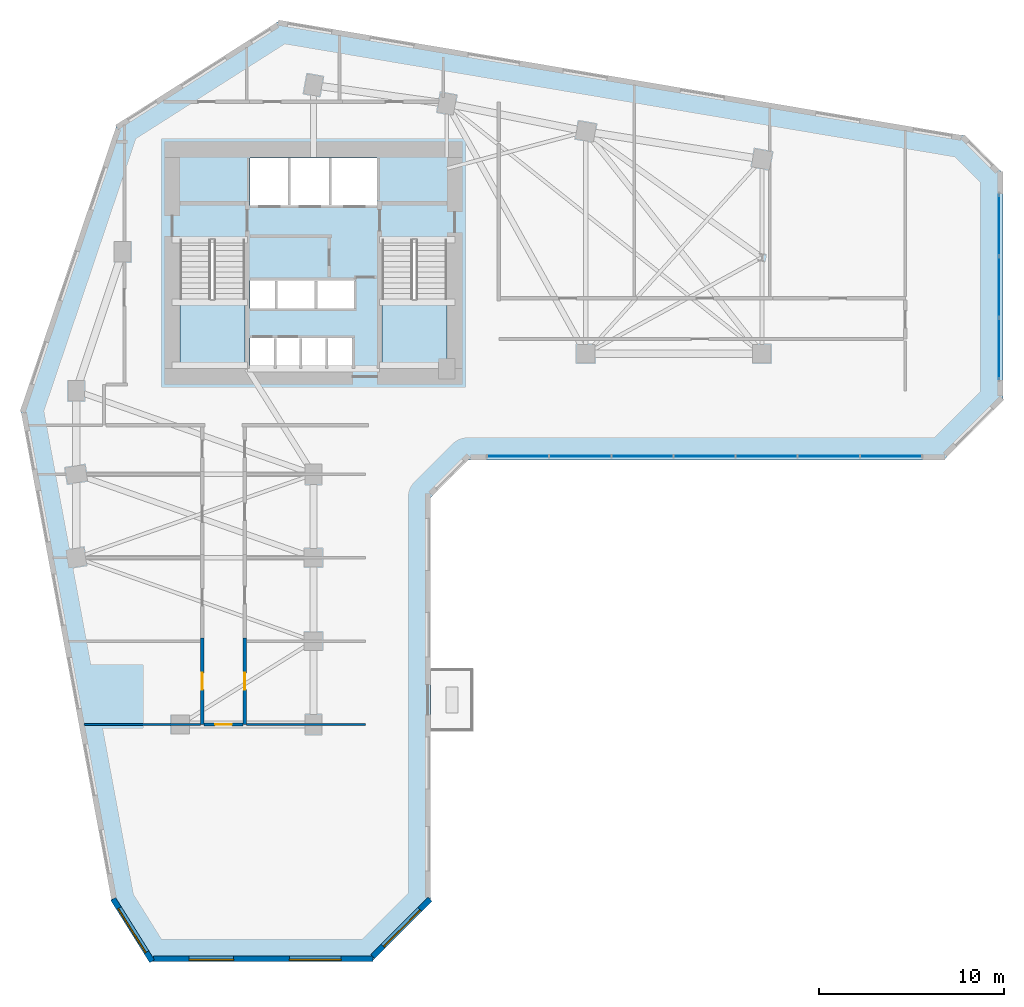
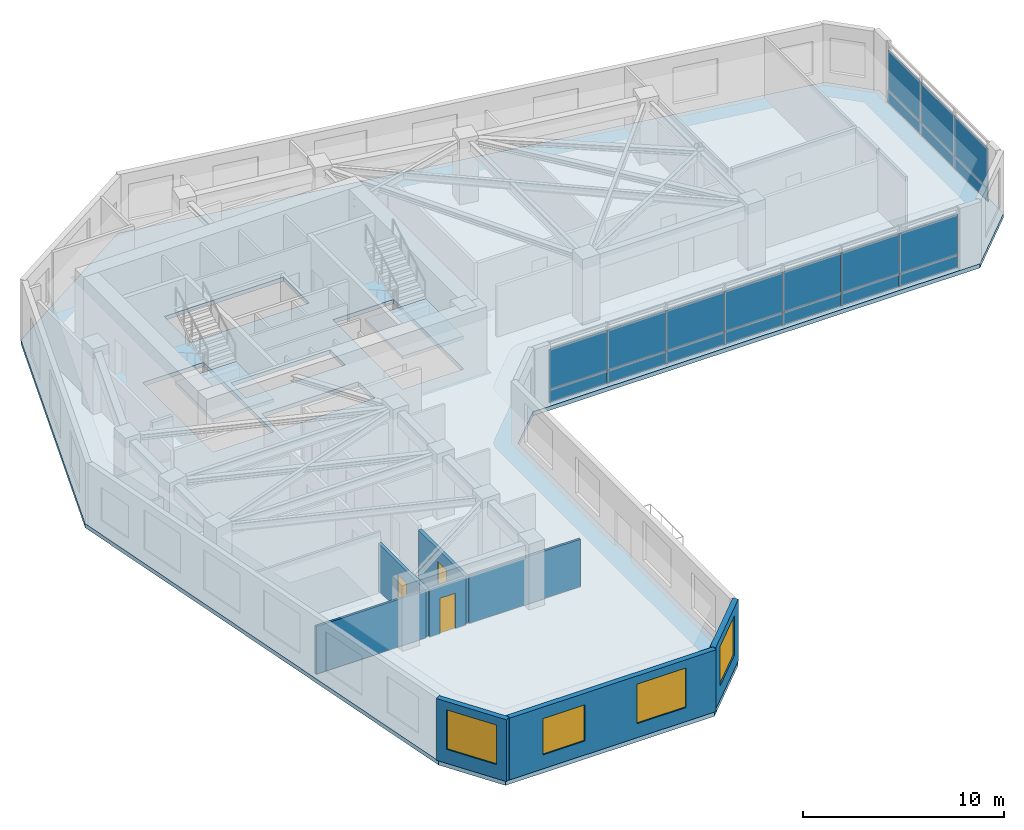
# One storey, part 5 of 11: 20 plates, 8 walls, 4 windows, 3 doors, 3 slabs, 7 openings, 4 elements without a shape of their own.
"""IFC4 building model written with IfcOpenShell, lengths in metres."""

from ifc_helpers import new_model, si_unit, direction, frame, frame_2d, origin, place, context, subcontext, project, spatial, polyline, rectangle, outline, extrude, source, transform, mapped, material, layer, layer_set, type_object, element, fill, aggregate, save


model = new_model("IFC4")

# Units and contexts
model_context = context("Model", 3, precision=1e-05, world=origin(), true_north=direction((0.0, 1.0)))
body_context = subcontext(model_context, "Body", "Model", "MODEL_VIEW")
ifc_project = project(units=[si_unit("LENGTHUNIT", "METRE"), si_unit("AREAUNIT", "SQUARE_METRE"), si_unit("VOLUMEUNIT", "CUBIC_METRE"), si_unit("PLANEANGLEUNIT", "RADIAN"), si_unit("MASSUNIT", "GRAM", prefix="KILO")], contexts=[model_context])

# Site, building, storey
site_placement = place(None, origin())
site = spatial("IfcSite", under=ifc_project, at=site_placement, CompositionType="ELEMENT")
building_placement = place(site_placement, origin())
building = spatial("IfcBuilding", under=site, at=building_placement, Name="Calvemar Wedge Station Tower", CompositionType="ELEMENT")
storey_placement = place(building_placement, frame((0.0, 0.0, 55.0)))
storey = spatial("IfcBuildingStorey", under=building, at=storey_placement, Name="L13", CompositionType="ELEMENT", Elevation=55.0)

# Curtain wall, plates
ifc_material_1 = material(Name="Anodised aluminium 6063-T6", Category="aluminium")
curtain_wall_type = type_object("IfcCurtainWallType", Name="CW1", PredefinedType="NOTDEFINED", material=ifc_material_1)
curtain_wall_1_placement = place(storey_placement, origin())
curtain_wall_1 = element("IfcCurtainWall", 1, at=curtain_wall_1_placement, inside=storey, type_object=curtain_wall_type, Name="Storey L13 CW1 Recessed Unitised Curtain Wall 6", PredefinedType="NOTDEFINED")
ifc_material_2 = material(Name="Low-E laminated insulated glass", Category="glass")
ifc_layer_1 = layer(ifc_material_2, 0.028076171875)
ifc_layer_set_1 = layer_set([ifc_layer_1], Name="Low-E laminated insulated glass")
plate_type_1 = type_object("IfcPlateType", Name="CW1-GLZ", PredefinedType="CURTAIN_PANEL", material=ifc_layer_set_1)
plate_1_placement = place(storey_placement, frame((33.183837890625, 29.469970703125, 0.8701171875), z_axis=(0.0, 0.0, 1.0), x_axis=(1.0, 0.0, 0.0)))
plate_1 = element("IfcPlate", 2, at=plate_1_placement, type_object=plate_type_1, Name="CW1 vision glass panel 1", PredefinedType="CURTAIN_PANEL", context=body_context, shape_type="SweptSolid", body=[
    extrude(rectangle(XDim=3.317138671875, YDim=0.028076171875, at=frame_2d((1.65869140625, 0.0))), origin(), (0.0, 0.0, 1.0), 2.409912109375),
])
plate_2_placement = place(storey_placement, frame((36.537109375, 29.469970703125, 0.8701171875), z_axis=(0.0, 0.0, 1.0), x_axis=(1.0, 0.0, 0.0)))
plate_2 = element("IfcPlate", 3, at=plate_2_placement, type_object=plate_type_1, Name="CW1 vision glass panel 2", PredefinedType="CURTAIN_PANEL", context=body_context, shape_type="SweptSolid", body=[
    extrude(rectangle(XDim=3.317138671875, YDim=0.028076171875, at=frame_2d((1.65869140625, 0.0))), origin(), (0.0, 0.0, 1.0), 2.409912109375),
])
plate_3_placement = place(storey_placement, frame((39.89013671875, 29.469970703125, 0.8701171875), z_axis=(0.0, 0.0, 1.0), x_axis=(1.0, 0.0, 0.0)))
plate_3 = element("IfcPlate", 4, at=plate_3_placement, type_object=plate_type_1, Name="CW1 vision glass panel 3", PredefinedType="CURTAIN_PANEL", context=body_context, shape_type="SweptSolid", body=[
    extrude(rectangle(XDim=3.317138671875, YDim=0.028076171875, at=frame_2d((1.65869140625, 0.0))), origin(), (0.0, 0.0, 1.0), 2.409912109375),
])
plate_4_placement = place(storey_placement, frame((43.243408203125, 29.469970703125, 0.8701171875), z_axis=(0.0, 0.0, 1.0), x_axis=(1.0, 0.0, 0.0)))
plate_4 = element("IfcPlate", 5, at=plate_4_placement, type_object=plate_type_1, Name="CW1 vision glass panel 4", PredefinedType="CURTAIN_PANEL", context=body_context, shape_type="SweptSolid", body=[
    extrude(rectangle(XDim=3.317138671875, YDim=0.028076171875, at=frame_2d((1.65869140625, 0.0))), origin(), (0.0, 0.0, 1.0), 2.409912109375),
])
plate_5_placement = place(storey_placement, frame((46.596435546875, 29.469970703125, 0.8701171875), z_axis=(0.0, 0.0, 1.0), x_axis=(1.0, 0.0, 0.0)))
plate_5 = element("IfcPlate", 6, at=plate_5_placement, type_object=plate_type_1, Name="CW1 vision glass panel 5", PredefinedType="CURTAIN_PANEL", context=body_context, shape_type="SweptSolid", body=[
    extrude(rectangle(XDim=3.317138671875, YDim=0.028076171875, at=frame_2d((1.65869140625, 0.0))), origin(), (0.0, 0.0, 1.0), 2.409912109375),
])
plate_6_placement = place(storey_placement, frame((49.94970703125, 29.469970703125, 0.8701171875), z_axis=(0.0, 0.0, 1.0), x_axis=(1.0, 0.0, 0.0)))
plate_6 = element("IfcPlate", 7, at=plate_6_placement, type_object=plate_type_1, Name="CW1 vision glass panel 6", PredefinedType="CURTAIN_PANEL", context=body_context, shape_type="SweptSolid", body=[
    extrude(rectangle(XDim=3.317138671875, YDim=0.028076171875, at=frame_2d((1.65869140625, 0.0))), origin(), (0.0, 0.0, 1.0), 2.409912109375),
])
plate_7_placement = place(storey_placement, frame((53.302734375, 29.469970703125, 0.8701171875), z_axis=(0.0, 0.0, 1.0), x_axis=(1.0, 0.0, 0.0)))
plate_7 = element("IfcPlate", 8, at=plate_7_placement, type_object=plate_type_1, Name="CW1 vision glass panel 7", PredefinedType="CURTAIN_PANEL", context=body_context, shape_type="SweptSolid", body=[
    extrude(rectangle(XDim=3.317138671875, YDim=0.028076171875, at=frame_2d((1.65869140625, 0.0))), origin(), (0.0, 0.0, 1.0), 2.409912109375),
])

curtain_wall_2_placement = place(storey_placement, origin())
curtain_wall_2 = element("IfcCurtainWall", 9, at=curtain_wall_2_placement, inside=storey, type_object=curtain_wall_type, Name="Storey L13 CW1 Recessed Unitised Curtain Wall 8", PredefinedType="NOTDEFINED")
plate_8_placement = place(storey_placement, frame((60.7900390625, 33.64013671875, 0.8701171875), z_axis=(0.0, 0.0, 1.0), x_axis=(0.0, 1.0, 0.0)))
plate_8 = element("IfcPlate", 10, at=plate_8_placement, type_object=plate_type_1, Name="CW1 vision glass panel 1", PredefinedType="CURTAIN_PANEL", context=body_context, shape_type="SweptSolid", body=[
    extrude(rectangle(XDim=3.289306640625, YDim=0.028076171875, at=frame_2d((1.64453125, 0.0))), origin(), (0.0, 0.0, 1.0), 2.409912109375),
])
plate_9_placement = place(storey_placement, frame((60.7900390625, 36.96533203125, 0.8701171875), z_axis=(0.0, 0.0, 1.0), x_axis=(0.0, 1.0, 0.0)))
plate_9 = element("IfcPlate", 11, at=plate_9_placement, type_object=plate_type_1, Name="CW1 vision glass panel 2", PredefinedType="CURTAIN_PANEL", context=body_context, shape_type="SweptSolid", body=[
    extrude(rectangle(XDim=3.289306640625, YDim=0.028076171875, at=frame_2d((1.64453125, 0.0))), origin(), (0.0, 0.0, 1.0), 2.409912109375),
])
plate_10_placement = place(storey_placement, frame((60.7900390625, 40.29052734375, 0.8701171875), z_axis=(0.0, 0.0, 1.0), x_axis=(0.0, 1.0, 0.0)))
plate_10 = element("IfcPlate", 12, at=plate_10_placement, type_object=plate_type_1, Name="CW1 vision glass panel 3", PredefinedType="CURTAIN_PANEL", context=body_context, shape_type="SweptSolid", body=[
    extrude(rectangle(XDim=3.289306640625, YDim=0.028076171875, at=frame_2d((1.64453125, 0.0))), origin(), (0.0, 0.0, 1.0), 2.409912109375),
])

# Plate
ifc_material_3 = material(Name="Oxidized bronze aluminium spandrel panel 5005-H24", Category="aluminium")
ifc_layer_2 = layer(ifc_material_3, 0.0400390625)
ifc_layer_set_2 = layer_set([ifc_layer_2], Name="Oxidized bronze aluminium spandrel panel 5005-H24")
plate_type_2 = type_object("IfcPlateType", Name="CW1-SPD", PredefinedType="SHEET", material=ifc_layer_set_2)
plate_11_placement = place(storey_placement, frame((33.183837890625, 29.469970703125, 0.080078125), z_axis=(0.0, 0.0, 1.0), x_axis=(1.0, 0.0, 0.0)))
plate_11 = element("IfcPlate", 13, at=plate_11_placement, type_object=plate_type_2, Name="CW1 bronze spandrel panel 1", PredefinedType="SHEET", context=body_context, shape_type="SweptSolid", body=[
    extrude(rectangle(XDim=3.317138671875, YDim=0.0400390625, at=frame_2d((1.65869140625, 0.0))), origin(), (0.0, 0.0, 1.0), 0.75),
])

plate_12_placement = place(storey_placement, frame((36.537109375, 29.469970703125, 0.080078125), z_axis=(0.0, 0.0, 1.0), x_axis=(1.0, 0.0, 0.0)))
plate_12 = element("IfcPlate", 14, at=plate_12_placement, type_object=plate_type_2, Name="CW1 bronze spandrel panel 2", PredefinedType="SHEET", context=body_context, shape_type="SweptSolid", body=[
    extrude(rectangle(XDim=3.317138671875, YDim=0.0400390625, at=frame_2d((1.65869140625, 0.0))), origin(), (0.0, 0.0, 1.0), 0.75),
])

plate_13_placement = place(storey_placement, frame((39.89013671875, 29.469970703125, 0.080078125), z_axis=(0.0, 0.0, 1.0), x_axis=(1.0, 0.0, 0.0)))
plate_13 = element("IfcPlate", 15, at=plate_13_placement, type_object=plate_type_2, Name="CW1 bronze spandrel panel 3", PredefinedType="SHEET", context=body_context, shape_type="SweptSolid", body=[
    extrude(rectangle(XDim=3.317138671875, YDim=0.0400390625, at=frame_2d((1.65869140625, 0.0))), origin(), (0.0, 0.0, 1.0), 0.75),
])

plate_14_placement = place(storey_placement, frame((43.243408203125, 29.469970703125, 0.080078125), z_axis=(0.0, 0.0, 1.0), x_axis=(1.0, 0.0, 0.0)))
plate_14 = element("IfcPlate", 16, at=plate_14_placement, type_object=plate_type_2, Name="CW1 bronze spandrel panel 4", PredefinedType="SHEET", context=body_context, shape_type="SweptSolid", body=[
    extrude(rectangle(XDim=3.317138671875, YDim=0.0400390625, at=frame_2d((1.65869140625, 0.0))), origin(), (0.0, 0.0, 1.0), 0.75),
])

plate_15_placement = place(storey_placement, frame((46.596435546875, 29.469970703125, 0.080078125), z_axis=(0.0, 0.0, 1.0), x_axis=(1.0, 0.0, 0.0)))
plate_15 = element("IfcPlate", 17, at=plate_15_placement, type_object=plate_type_2, Name="CW1 bronze spandrel panel 5", PredefinedType="SHEET", context=body_context, shape_type="SweptSolid", body=[
    extrude(rectangle(XDim=3.317138671875, YDim=0.0400390625, at=frame_2d((1.65869140625, 0.0))), origin(), (0.0, 0.0, 1.0), 0.75),
])

plate_16_placement = place(storey_placement, frame((49.94970703125, 29.469970703125, 0.080078125), z_axis=(0.0, 0.0, 1.0), x_axis=(1.0, 0.0, 0.0)))
plate_16 = element("IfcPlate", 18, at=plate_16_placement, type_object=plate_type_2, Name="CW1 bronze spandrel panel 6", PredefinedType="SHEET", context=body_context, shape_type="SweptSolid", body=[
    extrude(rectangle(XDim=3.317138671875, YDim=0.0400390625, at=frame_2d((1.65869140625, 0.0))), origin(), (0.0, 0.0, 1.0), 0.75),
])

plate_17_placement = place(storey_placement, frame((53.302734375, 29.469970703125, 0.080078125), z_axis=(0.0, 0.0, 1.0), x_axis=(1.0, 0.0, 0.0)))
plate_17 = element("IfcPlate", 19, at=plate_17_placement, type_object=plate_type_2, Name="CW1 bronze spandrel panel 7", PredefinedType="SHEET", context=body_context, shape_type="SweptSolid", body=[
    extrude(rectangle(XDim=3.317138671875, YDim=0.0400390625, at=frame_2d((1.65869140625, 0.0))), origin(), (0.0, 0.0, 1.0), 0.75),
])

aggregate(curtain_wall_1, [plate_11, plate_1, plate_12, plate_2, plate_13, plate_3, plate_14, plate_4, plate_15, plate_5, plate_16, plate_6, plate_17, plate_7])

plate_18_placement = place(storey_placement, frame((60.7900390625, 33.64013671875, 0.080078125), z_axis=(0.0, 0.0, 1.0), x_axis=(0.0, 1.0, 0.0)))
plate_18 = element("IfcPlate", 20, at=plate_18_placement, type_object=plate_type_2, Name="CW1 bronze spandrel panel 1", PredefinedType="SHEET", context=body_context, shape_type="SweptSolid", body=[
    extrude(rectangle(XDim=3.289306640625, YDim=0.0400390625, at=frame_2d((1.64453125, 0.0))), origin(), (0.0, 0.0, 1.0), 0.75),
])

plate_19_placement = place(storey_placement, frame((60.7900390625, 36.96533203125, 0.080078125), z_axis=(0.0, 0.0, 1.0), x_axis=(0.0, 1.0, 0.0)))
plate_19 = element("IfcPlate", 21, at=plate_19_placement, type_object=plate_type_2, Name="CW1 bronze spandrel panel 2", PredefinedType="SHEET", context=body_context, shape_type="SweptSolid", body=[
    extrude(rectangle(XDim=3.289306640625, YDim=0.0400390625, at=frame_2d((1.64453125, 0.0))), origin(), (0.0, 0.0, 1.0), 0.75),
])

plate_20_placement = place(storey_placement, frame((60.7900390625, 40.29052734375, 0.080078125), z_axis=(0.0, 0.0, 1.0), x_axis=(0.0, 1.0, 0.0)))
plate_20 = element("IfcPlate", 22, at=plate_20_placement, type_object=plate_type_2, Name="CW1 bronze spandrel panel 3", PredefinedType="SHEET", context=body_context, shape_type="SweptSolid", body=[
    extrude(rectangle(XDim=3.289306640625, YDim=0.0400390625, at=frame_2d((1.64453125, 0.0))), origin(), (0.0, 0.0, 1.0), 0.75),
])

aggregate(curtain_wall_2, [plate_18, plate_8, plate_19, plate_9, plate_20, plate_10])

# Stair, slab
ifc_material_4 = material(Name="Concrete C45", Category="concrete")
stair_type = type_object("IfcStairType", Name="ST-TYPE-4000", PredefinedType="HALF_TURN_STAIR", material=ifc_material_4)
stair_1_placement = place(storey_placement, origin())
stair_1 = element("IfcStair", 23, at=stair_1_placement, inside=storey, type_object=stair_type, Name="L13 Pressurized Core Exit Stair ST-C1", PredefinedType="HALF_TURN_STAIR")
ifc_layer_3 = layer(ifc_material_4, 0.199951171875)
ifc_layer_set_3 = layer_set([ifc_layer_3], Name="Concrete C45")
slab_type_1 = type_object("IfcSlabType", Name="SL-STAIR-LND-200", PredefinedType="LANDING", material=ifc_layer_set_3)
slab_1_placement = place(storey_placement, frame((0.0, 0.0, 1.800048828125)))
slab_1 = element("IfcSlab", 24, at=slab_1_placement, type_object=slab_type_1, Name="ST-C1 landing 1", PredefinedType="LANDING", context=body_context, shape_type="SweptSolid", body=[
    extrude(outline(polyline([(16.60009765625, 37.9599609375), (16.60009765625, 34.199951171875), (20.10009765625, 34.199951171875), (20.10009765625, 37.9599609375), (16.60009765625, 37.9599609375)])), origin(), (0.0, 0.0, 1.0), 0.199951171875),
])
aggregate(stair_1, [slab_1])

stair_2_placement = place(storey_placement, origin())
stair_2 = element("IfcStair", 25, at=stair_2_placement, inside=storey, type_object=stair_type, Name="L13 Pressurized Core Exit Stair ST-C2", PredefinedType="HALF_TURN_STAIR")
slab_2_placement = place(storey_placement, frame((0.0, 0.0, 1.800048828125)))
slab_2 = element("IfcSlab", 26, at=slab_2_placement, type_object=slab_type_1, Name="ST-C2 landing 1", PredefinedType="LANDING", context=body_context, shape_type="SweptSolid", body=[
    extrude(outline(polyline([(27.5, 37.9599609375), (27.5, 34.199951171875), (31.0, 34.199951171875), (31.0, 37.9599609375), (27.5, 37.9599609375)])), origin(), (0.0, 0.0, 1.0), 0.199951171875),
])
aggregate(stair_2, [slab_2])

# Slab
ifc_material_5 = material(Name="Concrete C50", Category="concrete")
ifc_layer_4 = layer(ifc_material_5, 0.25)
ifc_layer_set_4 = layer_set([ifc_layer_4], Name="Concrete C50")
slab_type_2 = type_object("IfcSlabType", Name="SL-TYP-250", PredefinedType="FLOOR", material=ifc_layer_set_4)
slab_3_placement = place(storey_placement, frame((0.0, 0.0, -0.25)))
element("IfcSlab", 27, at=slab_3_placement, inside=storey, type_object=slab_type_2, Name="Storey L13 Structural Floor Slab", PredefinedType="FLOOR", context=body_context, shape_type="SweptSolid", body=[
    extrude(outline(polyline([(8.0, 32.0), (12.927978515625, 5.39990234375), (14.927978515625, 2.199951171875), (26.927978515625, 2.199951171875), (30.1279296875, 5.39990234375), (30.1279296875, 27.260009765625), (32.1279296875, 29.260009765625), (57.800048828125, 29.260009765625), (61.0, 32.4599609375), (61.0, 44.760009765625), (59.0, 46.760009765625), (22.0, 53.0), (13.199951171875, 47.39990234375), (8.0, 32.0)]), holes=[polyline([(21.739990234375, 35.85009765625), (21.72998046875, 35.85009765625), (20.3798828125, 35.85009765625), (20.3798828125, 34.219970703125), (21.72998046875, 34.219970703125), (21.739990234375, 34.219970703125), (23.1201171875, 34.219970703125), (23.1298828125, 34.219970703125), (24.510009765625, 34.219970703125), (24.52001953125, 34.219970703125), (25.909912109375, 34.219970703125), (25.909912109375, 35.85009765625), (24.52001953125, 35.85009765625), (24.510009765625, 35.85009765625), (23.1298828125, 35.85009765625), (23.1201171875, 35.85009765625), (21.739990234375, 35.85009765625)]), polyline([(16.60009765625, 41.14990234375), (16.60009765625, 34.199951171875), (20.10009765625, 34.199951171875), (20.10009765625, 41.14990234375), (16.60009765625, 41.14990234375)]), polyline([(27.5, 34.199951171875), (31.0, 34.199951171875), (31.0, 41.14990234375), (27.5, 41.14990234375), (27.5, 34.199951171875)]), polyline([(21.7900390625, 37.449951171875), (21.800048828125, 37.449951171875), (23.929931640625, 37.449951171875), (23.93994140625, 37.449951171875), (26.080078125, 37.449951171875), (26.080078125, 38.949951171875), (23.93994140625, 38.949951171875), (23.929931640625, 38.949951171875), (21.800048828125, 38.949951171875), (21.7900390625, 38.949951171875), (20.3798828125, 38.949951171875), (20.3798828125, 37.449951171875), (21.7900390625, 37.449951171875)]), polyline([(20.3798828125, 43.0), (27.219970703125, 43.0), (27.219970703125, 45.580078125), (20.3798828125, 45.580078125), (20.3798828125, 43.0)])]), origin(), (0.0, 0.0, 1.0), 0.25),
])

# Wall, opening, door
ifc_material_6 = material(Name="Double-stud fire-rated corridor partition")
ifc_layer_5 = layer(ifc_material_6, 0.179931640625)
ifc_layer_set_5 = layer_set([ifc_layer_5], Name="Double-stud fire-rated corridor partition")
wall_type_1 = type_object("IfcWallType", Name="W-CORR-180", PredefinedType="PARTITIONING", material=ifc_layer_set_5)
wall_1_placement = place(storey_placement, frame((17.800048828125, 15.0, 0.0), z_axis=(0.0, 0.0, 1.0), x_axis=(0.0, 1.0, 0.0)))
wall_1 = element("IfcWall", 28, at=wall_1_placement, inside=storey, type_object=wall_type_1, Name="Storey L13 Interior Partition WL-L13-027", PredefinedType="PARTITIONING", context=body_context, shape_type="SweptSolid", body=[
    extrude(rectangle(XDim=4.659912109375, YDim=0.179931640625, at=frame_2d((2.330078125, 0.0))), origin(), (0.0, 0.0, 1.0), 2.89208984375),
])
shared_shape_1 = source(origin(), body_context, "Body", "SweptSolid", [
    extrude(rectangle(XDim=0.89990234375, YDim=2.14990234375, at=frame_2d((0.449951171875, 1.074951171875))), frame((0.0, 0.10009765625, 0.0), z_axis=(0.0, -1.0, 0.0), x_axis=(1.0, 0.0, 0.0)), (0.0, 0.0, 1.0), 0.199951171875),
])
opening_1_placement = place(wall_1_placement, frame((1.8798828125, 0.0, 0.0)))
opening_1 = element("IfcOpeningElement", 29, at=opening_1_placement, cuts=wall_1, Name="Opening D-01", PredefinedType="OPENING", context=body_context, shape_type="MappedRepresentation", body=[
    mapped(shared_shape_1, transform((0.0, 0.0, 0.0), scale=1.0)),
])
ifc_material_7 = material(Name="Architectural hardwood acoustic swing door", Category="wood")
door_type = type_object("IfcDoorType", Name="DR-INT-900", OperationType="NOTDEFINED", PredefinedType="DOOR", material=ifc_material_7)
shared_shape_2 = source(origin(), body_context, "Body", "SweptSolid", [
    extrude(rectangle(XDim=0.89990234375, YDim=2.14990234375, at=frame_2d((0.449951171875, 1.074951171875))), frame((0.0, 0.02490234375, 0.0), z_axis=(0.0, -1.0, 0.0), x_axis=(1.0, 0.0, 0.0)), (0.0, 0.0, 1.0), 0.050048828125),
])
door_1_placement = place(opening_1_placement, origin())
door_1 = element("IfcDoor", 30, at=door_1_placement, inside=storey, type_object=door_type, Name="L13 Office Door", OperationType="SINGLE_SWING_RIGHT", OverallHeight=2.14990234375, OverallWidth=0.89990234375, PredefinedType="DOOR", context=body_context, shape_type="MappedRepresentation", body=[
    mapped(shared_shape_2, transform((0.0, 0.0, 0.0), scale=1.0)),
])
fill(opening_1, door_1)

wall_2_placement = place(storey_placement, frame((20.10009765625, 19.659912109375, 0.0), z_axis=(0.0, 0.0, 1.0), x_axis=(0.0, -1.0, 0.0)))
wall_2 = element("IfcWall", 31, at=wall_2_placement, inside=storey, type_object=wall_type_1, Name="Storey L13 Interior Partition WL-L13-028", PredefinedType="PARTITIONING", context=body_context, shape_type="SweptSolid", body=[
    extrude(rectangle(XDim=4.659912109375, YDim=0.179931640625, at=frame_2d((2.330078125, 0.0))), origin(), (0.0, 0.0, 1.0), 2.89208984375),
])
opening_2_placement = place(wall_2_placement, frame((1.8798828125, 0.0, 0.0)))
opening_2 = element("IfcOpeningElement", 32, at=opening_2_placement, cuts=wall_2, Name="Opening D-01", PredefinedType="OPENING", context=body_context, shape_type="MappedRepresentation", body=[
    mapped(shared_shape_1, transform((0.0, 0.0, 0.0), scale=1.0)),
])
door_2_placement = place(opening_2_placement, origin())
door_2 = element("IfcDoor", 33, at=door_2_placement, inside=storey, type_object=door_type, Name="L13 Meeting Room Door", OperationType="SINGLE_SWING_LEFT", OverallHeight=2.14990234375, OverallWidth=0.89990234375, PredefinedType="DOOR", context=body_context, shape_type="MappedRepresentation", body=[
    mapped(shared_shape_2, transform((0.0, 0.0, 0.0), scale=1.0)),
])
fill(opening_2, door_2)

wall_3_placement = place(storey_placement, frame((20.006103515625, 15.0, 0.0), z_axis=(0.0, 0.0, 1.0), x_axis=(-1.0, 0.0, 0.0)))
wall_3 = element("IfcWall", 34, at=wall_3_placement, inside=storey, type_object=wall_type_1, Name="Storey L13 Interior Partition WL-L13-035", PredefinedType="PARTITIONING", context=body_context, shape_type="SweptSolid", body=[
    extrude(rectangle(XDim=2.112060546875, YDim=0.179931640625, at=frame_2d((1.05615234375, 0.0))), origin(), (0.0, 0.0, 1.0), 2.89208984375),
])
opening_3_placement = place(wall_3_placement, frame((0.60595703125, 0.0, 0.0)))
opening_3 = element("IfcOpeningElement", 35, at=opening_3_placement, cuts=wall_3, Name="Opening D-01", PredefinedType="OPENING", context=body_context, shape_type="MappedRepresentation", body=[
    mapped(shared_shape_1, transform((0.0, 0.0, 0.0), scale=1.0)),
])
door_3_placement = place(opening_3_placement, origin())
door_3 = element("IfcDoor", 36, at=door_3_placement, inside=storey, type_object=door_type, Name="L13 Co-Working Studio Door", OperationType="SINGLE_SWING_RIGHT", OverallHeight=2.14990234375, OverallWidth=0.89990234375, PredefinedType="DOOR", context=body_context, shape_type="MappedRepresentation", body=[
    mapped(shared_shape_2, transform((0.0, 0.0, 0.0), scale=1.0)),
])
fill(opening_3, door_3)

# Wall, opening, window
ifc_material_8 = material(Name="Precast concrete C45", Category="concrete")
ifc_layer_6 = layer(ifc_material_8, 0.300048828125)
ifc_layer_set_6 = layer_set([ifc_layer_6], Name="Precast concrete C45")
wall_type_2 = type_object("IfcWallType", Name="W-EXT-GFRC-300", PredefinedType="SOLIDWALL", material=ifc_layer_set_6)
wall_4_placement = place(storey_placement, frame((12.99072265625, 5.58251953125, 0.0), z_axis=(0.0, 0.0, 1.0), x_axis=(0.530015557218, -0.847987918019, 0.0)))
wall_4 = element("IfcWall", 37, at=wall_4_placement, inside=storey, type_object=wall_type_2, Name="Storey L13 Bronze GFRC Exterior Wall 1", PredefinedType="SOLIDWALL", context=body_context, shape_type="SweptSolid", body=[
    extrude(rectangle(XDim=3.9619140625, YDim=0.300048828125, at=frame_2d((1.98095703125, 0.0))), origin(), (0.0, 0.0, 1.0), 3.75),
])
shared_shape_3 = source(origin(), body_context, "Body", "SweptSolid", [
    extrude(rectangle(XDim=2.800048828125, YDim=2.39990234375, at=frame_2d((1.39990234375, 1.199951171875))), frame((0.0, 0.16015625, 0.0), z_axis=(0.0, -1.0, 0.0), x_axis=(1.0, 0.0, 0.0)), (0.0, 0.0, 1.0), 0.320068359375),
])
opening_4_placement = place(wall_4_placement, frame((0.5810546875, 0.0, 0.85009765625)))
opening_4 = element("IfcOpeningElement", 38, at=opening_4_placement, cuts=wall_4, Name="Opening W6", PredefinedType="OPENING", context=body_context, shape_type="MappedRepresentation", body=[
    mapped(shared_shape_3, transform((0.0, 0.0, 0.0), scale=1.0)),
])
window_type_1 = type_object("IfcWindowType", Name="WIN-EXT-6", PartitioningType="SINGLE_PANEL", PredefinedType="WINDOW", material=ifc_material_2)
shared_shape_4 = source(origin(), body_context, "Body", "SweptSolid", [
    extrude(rectangle(XDim=2.800048828125, YDim=2.39990234375, at=frame_2d((1.39990234375, 1.199951171875))), frame((0.0, -0.014892578125, 0.0), z_axis=(0.0, -1.0, 0.0), x_axis=(1.0, 0.0, 0.0)), (0.0, 0.0, 1.0), 0.06005859375),
])
window_1_placement = place(opening_4_placement, origin())
window_1 = element("IfcWindow", 39, at=window_1_placement, inside=storey, type_object=window_type_1, Name="Storey L13 Recessed Window 1.1", OverallHeight=2.39990234375, OverallWidth=2.800048828125, PartitioningType="SINGLE_PANEL", PredefinedType="WINDOW", context=body_context, shape_type="MappedRepresentation", body=[
    mapped(shared_shape_4, transform((0.0, 0.0, 0.0), scale=1.0)),
])
fill(opening_4, window_1)

# Wall, openings, windows
wall_5_placement = place(storey_placement, frame((15.173828125, 2.35009765625, 0.0), z_axis=(0.0, 0.0, 1.0), x_axis=(1.0, 0.0, 0.0)))
wall_5 = element("IfcWall", 40, at=wall_5_placement, inside=storey, type_object=wall_type_2, Name="Storey L13 Bronze GFRC Exterior Wall 2", PredefinedType="SOLIDWALL", context=body_context, shape_type="SweptSolid", body=[
    extrude(rectangle(XDim=11.842041015625, YDim=0.300048828125, at=frame_2d((5.9208984375, 0.0))), origin(), (0.0, 0.0, 1.0), 3.75),
])
shared_shape_5 = source(origin(), body_context, "Body", "SweptSolid", [
    extrude(rectangle(XDim=2.39990234375, YDim=2.199951171875, at=frame_2d((1.199951171875, 1.10009765625))), frame((0.0, 0.16015625, 0.0), z_axis=(0.0, -1.0, 0.0), x_axis=(1.0, 0.0, 0.0)), (0.0, 0.0, 1.0), 0.320068359375),
])
opening_5_placement = place(wall_5_placement, frame((1.9208984375, 0.0, 0.85009765625)))
opening_5 = element("IfcOpeningElement", 41, at=opening_5_placement, cuts=wall_5, Name="Opening W1", PredefinedType="OPENING", context=body_context, shape_type="MappedRepresentation", body=[
    mapped(shared_shape_5, transform((0.0, 0.0, 0.0), scale=1.0)),
])
opening_6_placement = place(wall_5_placement, frame((7.322021484375, 0.0, 0.85009765625)))
opening_6 = element("IfcOpeningElement", 42, at=opening_6_placement, cuts=wall_5, Name="Opening W6", PredefinedType="OPENING", context=body_context, shape_type="MappedRepresentation", body=[
    mapped(shared_shape_3, transform((0.0, 0.0, 0.0), scale=1.0)),
])
window_2_placement = place(opening_6_placement, origin())
window_2 = element("IfcWindow", 43, at=window_2_placement, inside=storey, type_object=window_type_1, Name="Storey L13 Recessed Window 2.2", OverallHeight=2.39990234375, OverallWidth=2.800048828125, PartitioningType="SINGLE_PANEL", PredefinedType="WINDOW", context=body_context, shape_type="MappedRepresentation", body=[
    mapped(shared_shape_4, transform((0.0, 0.0, 0.0), scale=1.0)),
])
fill(opening_6, window_2)
window_type_2 = type_object("IfcWindowType", Name="WIN-EXT-1", PartitioningType="SINGLE_PANEL", PredefinedType="WINDOW", material=ifc_material_2)
shared_shape_6 = source(origin(), body_context, "Body", "SweptSolid", [
    extrude(rectangle(XDim=2.39990234375, YDim=2.199951171875, at=frame_2d((1.199951171875, 1.10009765625))), frame((0.0, -0.014892578125, 0.0), z_axis=(0.0, -1.0, 0.0), x_axis=(1.0, 0.0, 0.0)), (0.0, 0.0, 1.0), 0.06005859375),
])
window_3_placement = place(opening_5_placement, origin())
window_3 = element("IfcWindow", 44, at=window_3_placement, inside=storey, type_object=window_type_2, Name="Storey L13 Recessed Window 2.1", OverallHeight=2.199951171875, OverallWidth=2.39990234375, PartitioningType="SINGLE_PANEL", PredefinedType="WINDOW", context=body_context, shape_type="MappedRepresentation", body=[
    mapped(shared_shape_6, transform((0.0, 0.0, 0.0), scale=1.0)),
])
fill(opening_5, window_3)

# Wall, opening, window
wall_6_placement = place(storey_placement, frame((27.00390625, 2.488037109375, 0.0), z_axis=(0.0, 0.0, 1.0), x_axis=(0.707106781187, 0.707106781187, 0.0)))
wall_6 = element("IfcWall", 45, at=wall_6_placement, inside=storey, type_object=wall_type_2, Name="Storey L13 Bronze GFRC Exterior Wall 3", PredefinedType="SOLIDWALL", context=body_context, shape_type="SweptSolid", body=[
    extrude(rectangle(XDim=4.35595703125, YDim=0.300048828125, at=frame_2d((2.177978515625, 0.0))), origin(), (0.0, 0.0, 1.0), 3.75),
])
opening_7_placement = place(wall_6_placement, frame((0.778076171875, 0.0, 0.85009765625)))
opening_7 = element("IfcOpeningElement", 46, at=opening_7_placement, cuts=wall_6, Name="Opening W6", PredefinedType="OPENING", context=body_context, shape_type="MappedRepresentation", body=[
    mapped(shared_shape_3, transform((0.0, 0.0, 0.0), scale=1.0)),
])
window_4_placement = place(opening_7_placement, origin())
window_4 = element("IfcWindow", 47, at=window_4_placement, inside=storey, type_object=window_type_1, Name="Storey L13 Recessed Window 3.1", OverallHeight=2.39990234375, OverallWidth=2.800048828125, PartitioningType="SINGLE_PANEL", PredefinedType="WINDOW", context=body_context, shape_type="MappedRepresentation", body=[
    mapped(shared_shape_4, transform((0.0, 0.0, 0.0), scale=1.0)),
])
fill(opening_7, window_4)

# Walls
ifc_material_9 = material(Name="Insulated acoustic gypsum stud partition")
ifc_layer_7 = layer(ifc_material_9, 0.125)
ifc_layer_set_7 = layer_set([ifc_layer_7], Name="Insulated acoustic gypsum stud partition")
wall_type_3 = type_object("IfcWallType", Name="W-PART-125", PredefinedType="PARTITIONING", material=ifc_layer_set_7)
wall_7_placement = place(storey_placement, frame((17.7060546875, 15.0, 0.0), z_axis=(0.0, 0.0, 1.0), x_axis=(-1.0, 0.0, 0.0)))
element("IfcWall", 48, at=wall_7_placement, inside=storey, type_object=wall_type_3, Name="Storey L13 Interior Partition WL-L13-037", PredefinedType="PARTITIONING", context=body_context, shape_type="SweptSolid", body=[
    extrude(rectangle(XDim=6.287109375, YDim=0.125, at=frame_2d((3.1435546875, 0.0))), origin(), (0.0, 0.0, 1.0), 2.89208984375),
])
wall_8_placement = place(storey_placement, frame((26.60009765625, 15.0, 0.0), z_axis=(0.0, 0.0, 1.0), x_axis=(-1.0, 0.0, 0.0)))
element("IfcWall", 49, at=wall_8_placement, inside=storey, type_object=wall_type_3, Name="Storey L13 Interior Partition WL-L13-039", PredefinedType="PARTITIONING", context=body_context, shape_type="SweptSolid", body=[
    extrude(rectangle(XDim=6.406005859375, YDim=0.125, at=frame_2d((3.203125, 0.0))), origin(), (0.0, 0.0, 1.0), 2.89208984375),
])

save(model, "model.ifc")
